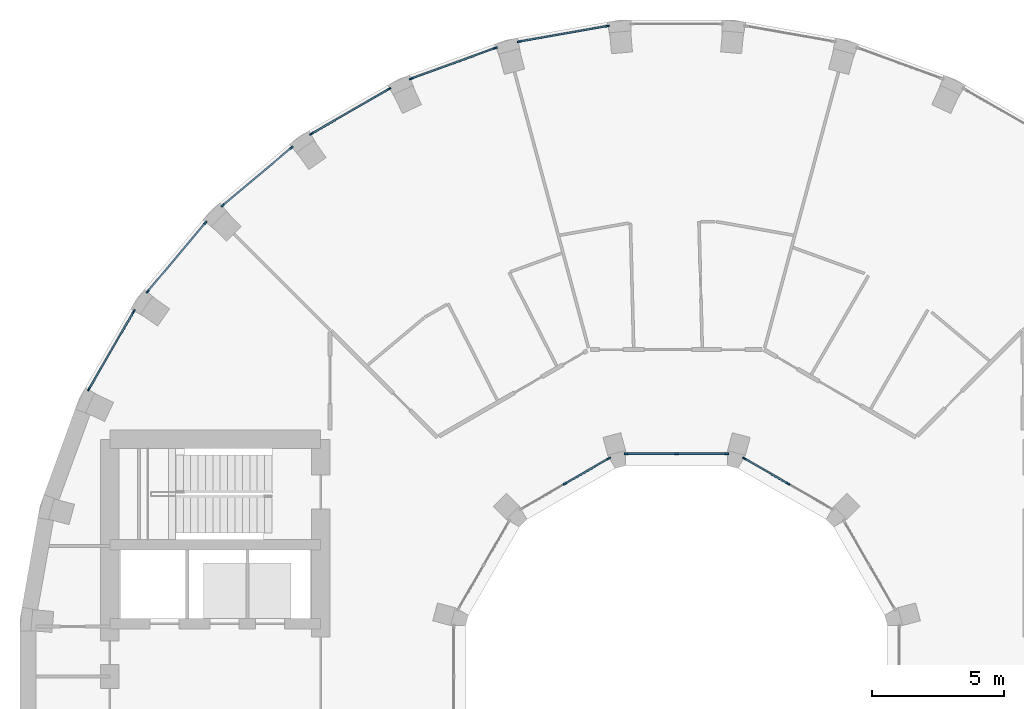
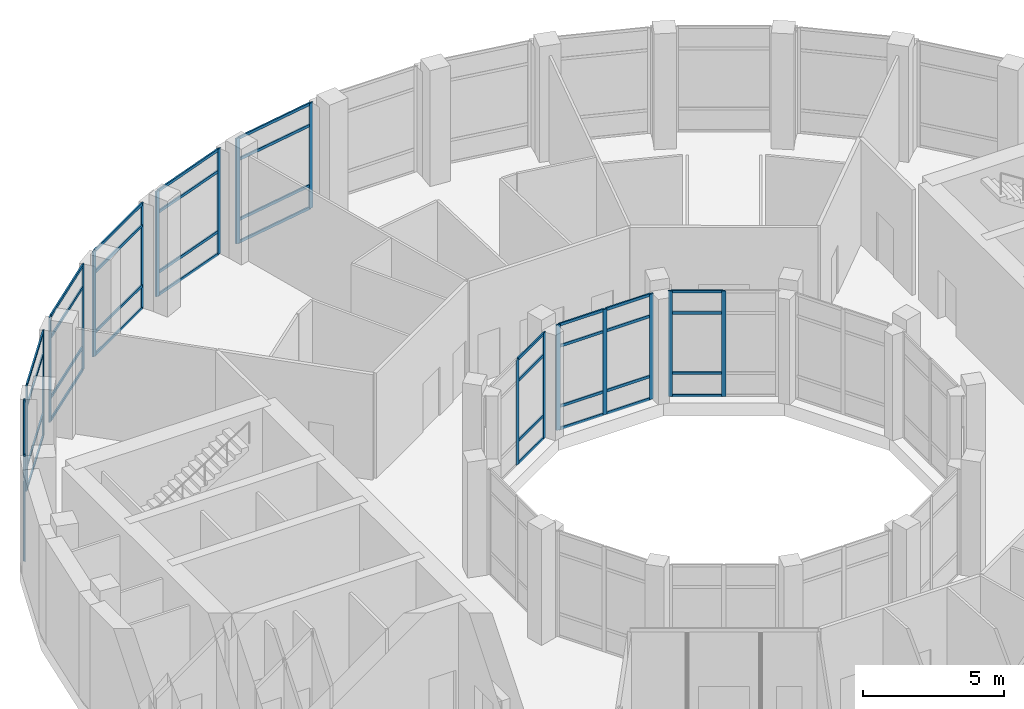
# One storey, part 6 of 18: 59 members, 9 elements without a shape of their own.
"""IFC4 building model written with IfcOpenShell, lengths in metres."""

import ifcopenshell
import ifcopenshell.guid

model = None  # the IFC model being written
_history = None  # IfcOwnerHistory: only IFC2X3 demands one
_inside = {}  # id of a spatial element -> (the spatial element, [elements in it])
_under = {}  # id of a project, library or spatial element -> (it, [spatial elements below it])
_declared = {}  # id of a project -> (the project, [libraries it declares])
_typed = {}  # id of a type object -> (the type object, [elements of that type])
_made_of = {}  # id of a material, layer set ... -> (it, [elements and type objects made of it])


def new_model(schema):
    """Start an empty IFC model of exactly this schema.

    Asked for "IFC4X3", IfcOpenShell would pick the latest addendum, in which some entities
    have other attributes; the version numbers below select the first issue.
    IFC2X3 requires an IfcOwnerHistory on every rooted entity: one is made here for all.
    """
    global model, _history
    if schema == "IFC4X3":
        model = ifcopenshell.file(schema_version=(4, 3, 0, 0))
    else:
        model = ifcopenshell.file(schema=schema)
    _inside.clear()
    _under.clear()
    _declared.clear()
    _typed.clear()
    _made_of.clear()
    _history = None
    if model.schema == "IFC2X3":
        org = make("IfcOrganization", Name="unknown")
        user = make(
            "IfcPersonAndOrganization",
            ThePerson=make("IfcPerson", FamilyName="unknown"),
            TheOrganization=org,
        )
        app = make(
            "IfcApplication",
            ApplicationDeveloper=org,
            Version="unknown",
            ApplicationFullName="unknown",
            ApplicationIdentifier="unknown",
        )
        _history = make(
            "IfcOwnerHistory",
            OwningUser=user,
            OwningApplication=app,
            ChangeAction="ADDED",
            CreationDate=0,
        )
    return model


def make(cls, **values):
    """One entity of the class cls with the attributes given. An attribute that is None is left unset."""
    return model.create_entity(
        cls, **{name: value for name, value in values.items() if value is not None}
    )


def rooted(cls, **values):
    """An entity with a GlobalId (a new one), such as an element, a storey or a relation."""
    return make(cls, GlobalId=ifcopenshell.guid.new(), OwnerHistory=_history, **values)


def si_unit(unit_type, name, prefix=None):
    """IfcSIUnit, for example si_unit("LENGTHUNIT", "METRE", prefix="MILLI")."""
    return make("IfcSIUnit", UnitType=unit_type, Prefix=prefix, Name=name)


def assignment(units):
    """IfcUnitAssignment: the units of a project."""
    return None if units is None else make("IfcUnitAssignment", Units=units)


def point(xyz):
    """IfcCartesianPoint."""
    return None if xyz is None else make("IfcCartesianPoint", Coordinates=xyz)


def direction(xyz):
    """IfcDirection."""
    return None if xyz is None else make("IfcDirection", DirectionRatios=xyz)


def frame(location, z_axis=None, x_axis=None):
    """IfcAxis2Placement3D, a coordinate frame: its origin and axes. An axis left out is left unset."""
    return make(
        "IfcAxis2Placement3D",
        Location=point(location),
        Axis=direction(z_axis),
        RefDirection=direction(x_axis),
    )


def frame_2d(location, x_axis=None):
    """IfcAxis2Placement2D, a coordinate frame in the plane: its origin and x axis."""
    return make(
        "IfcAxis2Placement2D", Location=point(location), RefDirection=direction(x_axis)
    )


def origin():
    """The frame at (0, 0, 0) with its axes left unset."""
    return frame((0.0, 0.0, 0.0))


def origin_2d():
    """The frame at (0, 0) in the plane with its x axis left unset."""
    return frame_2d((0.0, 0.0))


def place(relative_to, where):
    """IfcLocalPlacement: puts the frame where relative to a parent placement (None: the world)."""
    return make(
        "IfcLocalPlacement", PlacementRelTo=relative_to, RelativePlacement=where
    )


def context(
    kind, dimensions, precision=None, world=None, true_north=None, identifier=None
):
    """IfcGeometricRepresentationContext, for example the 3D "Model" context."""
    return make(
        "IfcGeometricRepresentationContext",
        ContextIdentifier=identifier,
        ContextType=kind,
        CoordinateSpaceDimension=dimensions,
        Precision=precision,
        WorldCoordinateSystem=world,
        TrueNorth=true_north,
    )


def subcontext(parent, identifier, kind, view, scale=None):
    """IfcGeometricRepresentationSubContext, for example "Body" below "Model"."""
    return make(
        "IfcGeometricRepresentationSubContext",
        ContextIdentifier=identifier,
        ContextType=kind,
        ParentContext=parent,
        TargetScale=scale,
        TargetView=view,
    )


def project(units=None, contexts=None):
    """IfcProject with its units and contexts."""
    return rooted(
        "IfcProject",
        Name="project",
        RepresentationContexts=contexts,
        UnitsInContext=assignment(units),
    )


def spatial(cls, under=None, at=None, **own):
    """A site, building, storey or space (cls), placed at a placement, below another one or the project."""
    s = rooted(cls, ObjectPlacement=at, **own)
    if under is not None:
        _under.setdefault(under.id(), (under, []))[1].append(s)
    return s


def profile(cls, at=None, kind="AREA", **sizes):
    """A parametric profile (cls). Its sizes go by their IFC names, for example OverallWidth=200.0."""
    return make(cls, ProfileType=kind, Position=at, **sizes)


def rectangle(**sizes):
    """IfcRectangleProfileDef."""
    return profile("IfcRectangleProfileDef", **sizes)


def extrude(swept, where, along, depth):
    """IfcExtrudedAreaSolid: the profile swept, set in the frame where, extruded along a direction by depth."""
    return make(
        "IfcExtrudedAreaSolid",
        SweptArea=swept,
        Position=where,
        ExtrudedDirection=direction(along),
        Depth=depth,
    )


def shape(context_of_items, identifier, shape_type, items):
    """IfcShapeRepresentation: the items that make up one representation, for example the "Body"."""
    return make(
        "IfcShapeRepresentation",
        ContextOfItems=context_of_items,
        RepresentationIdentifier=identifier,
        RepresentationType=shape_type,
        Items=items,
    )


def material(Name=None, Category=None):
    """IfcMaterial."""
    return make("IfcMaterial", Name=Name, Category=Category)


def layer(
    of_material, thickness, ventilated=None, Name=None, Category=None, Priority=None
):
    """IfcMaterialLayer: one layer of a wall or slab, of a material (None: an air gap)."""
    return make(
        "IfcMaterialLayer",
        Material=of_material,
        LayerThickness=thickness,
        IsVentilated=ventilated,
        Name=Name,
        Category=Category,
        Priority=Priority,
    )


def layer_set(layers, Name=None):
    """IfcMaterialLayerSet."""
    return make("IfcMaterialLayerSet", MaterialLayers=layers, LayerSetName=Name)


def material_profile(
    of_material, cross_section, Name=None, Category=None, Priority=None
):
    """IfcMaterialProfile: a cross section and its material."""
    return make(
        "IfcMaterialProfile",
        Name=Name,
        Material=of_material,
        Profile=cross_section,
        Priority=Priority,
        Category=Category,
    )


def profile_set(profiles, Name=None, composite=None):
    """IfcMaterialProfileSet."""
    return make(
        "IfcMaterialProfileSet",
        Name=Name,
        MaterialProfiles=profiles,
        CompositeProfile=composite,
    )


def made_of(thing, what):
    """Note that an element or type object is made of a material, layer set ...; save() writes the relation."""
    if what is not None:
        _made_of.setdefault(what.id(), (what, []))[1].append(thing)
    return thing


def type_object(cls, material=None, **own):
    """A type object (cls), such as IfcWallType, which elements share."""
    return made_of(rooted(cls, **own), material)


def element(
    cls,
    number,
    at=None,
    inside=None,
    cuts=None,
    type_object=None,
    material=None,
    context=None,
    identifier="Body",
    shape_type=None,
    held_by="IfcProductDefinitionShape",
    body=None,
    shapes=None,
    **own,
):
    """One element of the class cls, such as IfcWall. Its Tag is "e" and its number.

    at: its placement. inside: the storey or other place that contains it. cuts: it is an
    opening in that element (IfcRelVoidsElement). A single representation is given by context,
    identifier, shape_type and body (its items); several are given by shapes. held_by: the class
    of the entity that holds the representations. save() writes the other relations.
    """
    e = rooted(cls, Tag="e%d" % number, ObjectPlacement=at, **own)
    if body is not None:
        shapes = [shape(context, identifier, shape_type, body)]
    if shapes is not None:
        e.Representation = make(held_by, Representations=shapes)
    if inside is not None:
        _inside.setdefault(inside.id(), (inside, []))[1].append(e)
    if cuts is not None:
        rooted(
            "IfcRelVoidsElement", RelatingBuildingElement=cuts, RelatedOpeningElement=e
        )
    if type_object is not None:
        _typed.setdefault(type_object.id(), (type_object, []))[1].append(e)
    return made_of(e, material)


def aggregate(whole, parts):
    """IfcRelAggregates: a whole, such as a stair, and the parts it consists of."""
    return rooted("IfcRelAggregates", RelatingObject=whole, RelatedObjects=parts)


def save(model, path):
    """Write the relations noted so far, then the file.

    IfcRelAggregates (storeys below a building ...), IfcRelContainedInSpatialStructure (elements
    in a storey), IfcRelDefinesByType, IfcRelAssociatesMaterial and IfcRelDeclares: one each for
    every whole, place, type object, material and project.
    """
    for whole, parts in _under.values():
        aggregate(whole, parts)
    for where, things in _inside.values():
        rooted(
            "IfcRelContainedInSpatialStructure",
            RelatedElements=things,
            RelatingStructure=where,
        )
    for kind, things in _typed.values():
        rooted("IfcRelDefinesByType", RelatedObjects=things, RelatingType=kind)
    for what, things in _made_of.values():
        rooted("IfcRelAssociatesMaterial", RelatedObjects=things, RelatingMaterial=what)
    for by, libraries in _declared.values():
        rooted("IfcRelDeclares", RelatingContext=by, RelatedDefinitions=libraries)
    model.write(path)


model = new_model("IFC4")

# Units and contexts
model_context = context("Model", 3, precision=1e-05, world=origin(), true_north=direction((0.0, 1.0)))
body_context = subcontext(model_context, "Body", "Model", "MODEL_VIEW")
ifc_project = project(units=[si_unit("LENGTHUNIT", "METRE"), si_unit("AREAUNIT", "SQUARE_METRE"), si_unit("VOLUMEUNIT", "CUBIC_METRE"), si_unit("PLANEANGLEUNIT", "RADIAN"), si_unit("MASSUNIT", "GRAM", prefix="KILO")], contexts=[model_context])

# Site, building, storey
site_placement = place(None, origin())
site = spatial("IfcSite", under=ifc_project, at=site_placement, CompositionType="ELEMENT")
building_placement = place(site_placement, origin())
building = spatial("IfcBuilding", under=site, at=building_placement, Name="Saqina Gate Tower", CompositionType="ELEMENT")
storey_placement = place(building_placement, frame((0.0, 0.0, 155.800048828125)))
storey = spatial("IfcBuildingStorey", under=building, at=storey_placement, Name="L44", CompositionType="ELEMENT", Elevation=155.800048828125)

# Curtain wall, members
ifc_material_1 = material(Name="Aluminium glazing", Category="aluminium")
ifc_layer_1 = layer(ifc_material_1, 0.159912109375)
ifc_layer_set_1 = layer_set([ifc_layer_1], Name="CWT-2")
curtain_wall_type_1 = type_object("IfcCurtainWallType", Name="CWT-2", PredefinedType="NOTDEFINED", material=ifc_layer_set_1)
curtain_wall_1_placement = place(storey_placement, origin())
curtain_wall_1 = element("IfcCurtainWall", 1, at=curtain_wall_1_placement, inside=storey, type_object=curtain_wall_type_1, Name="Sky lounge glazing facet 10", PredefinedType="NOTDEFINED")
ifc_material_2 = material(Name="Aluminium", Category="aluminium")
ifc_material_profile_1 = material_profile(ifc_material_2, rectangle(XDim=0.06005859375, YDim=0.159912109375, at=origin_2d()), Name="Aluminium 60x160")
ifc_profile_set_1 = profile_set([ifc_material_profile_1], Name="Aluminium")
member_type_1 = type_object("IfcMemberType", Name="CWT-2M", PredefinedType="MULLION", material=ifc_profile_set_1)
member_1_placement = place(storey_placement, frame((-2.629638671875, 24.673095703125, 0.0), z_axis=(0.0, 0.0, 1.0), x_axis=(0.173638154602, -0.984809520296, 0.0)))
member_1 = element("IfcMember", 2, at=member_1_placement, type_object=member_type_1, Name="CW2-10 mullion 1", PredefinedType="MULLION", context=body_context, shape_type="SweptSolid", body=[
    extrude(rectangle(XDim=0.06005859375, YDim=0.159912109375, at=origin_2d()), origin(), (0.0, 0.0, 1.0), 4.550048828125),
])
member_2_placement = place(storey_placement, frame((-5.9677734375, 24.08447265625, 0.0), z_axis=(0.0, 0.0, 1.0), x_axis=(0.173638154602, -0.984809520296, 0.0)))
member_2 = element("IfcMember", 3, at=member_2_placement, type_object=member_type_1, Name="CW2-10 mullion 2", PredefinedType="MULLION", context=body_context, shape_type="SweptSolid", body=[
    extrude(rectangle(XDim=0.06005859375, YDim=0.159912109375, at=origin_2d()), origin(), (0.0, 0.0, 1.0), 4.550048828125),
])

curtain_wall_2_placement = place(storey_placement, origin())
curtain_wall_2 = element("IfcCurtainWall", 4, at=curtain_wall_2_placement, inside=storey, type_object=curtain_wall_type_1, Name="Sky lounge glazing facet 11", PredefinedType="NOTDEFINED")
member_3_placement = place(storey_placement, frame((-6.8740234375, 23.841552734375, 0.0), z_axis=(0.0, 0.0, 1.0), x_axis=(0.342024671777, -0.939690972552, 0.0)))
member_3 = element("IfcMember", 5, at=member_3_placement, type_object=member_type_1, Name="CW2-11 mullion 1", PredefinedType="MULLION", context=body_context, shape_type="SweptSolid", body=[
    extrude(rectangle(XDim=0.06005859375, YDim=0.159912109375, at=origin_2d()), origin(), (0.0, 0.0, 1.0), 4.550048828125),
])
member_4_placement = place(storey_placement, frame((-10.059326171875, 22.682373046875, 0.0), z_axis=(0.0, 0.0, 1.0), x_axis=(0.342024671777, -0.939690972552, 0.0)))
member_4 = element("IfcMember", 6, at=member_4_placement, type_object=member_type_1, Name="CW2-11 mullion 2", PredefinedType="MULLION", context=body_context, shape_type="SweptSolid", body=[
    extrude(rectangle(XDim=0.06005859375, YDim=0.159912109375, at=origin_2d()), origin(), (0.0, 0.0, 1.0), 4.550048828125),
])

curtain_wall_3_placement = place(storey_placement, origin())
curtain_wall_3 = element("IfcCurtainWall", 7, at=curtain_wall_3_placement, inside=storey, type_object=curtain_wall_type_1, Name="Sky lounge glazing facet 12", PredefinedType="NOTDEFINED")
member_5_placement = place(storey_placement, frame((-10.90966796875, 22.285888671875, 0.0), z_axis=(0.0, 0.0, 1.0), x_axis=(0.500014364391, -0.866017110341, 0.0)))
member_5 = element("IfcMember", 8, at=member_5_placement, type_object=member_type_1, Name="CW2-12 mullion 1", PredefinedType="MULLION", context=body_context, shape_type="SweptSolid", body=[
    extrude(rectangle(XDim=0.06005859375, YDim=0.159912109375, at=origin_2d()), origin(), (0.0, 0.0, 1.0), 4.550048828125),
])
member_6_placement = place(storey_placement, frame((-13.84521484375, 20.5908203125, 0.0), z_axis=(0.0, 0.0, 1.0), x_axis=(0.500014364391, -0.866017110341, 0.0)))
member_6 = element("IfcMember", 9, at=member_6_placement, type_object=member_type_1, Name="CW2-12 mullion 2", PredefinedType="MULLION", context=body_context, shape_type="SweptSolid", body=[
    extrude(rectangle(XDim=0.06005859375, YDim=0.159912109375, at=origin_2d()), origin(), (0.0, 0.0, 1.0), 4.550048828125),
])

curtain_wall_4_placement = place(storey_placement, origin())
curtain_wall_4 = element("IfcCurtainWall", 10, at=curtain_wall_4_placement, inside=storey, type_object=curtain_wall_type_1, Name="Sky lounge glazing facet 13", PredefinedType="NOTDEFINED")
member_7_placement = place(storey_placement, frame((-14.61376953125, 20.052734375, 0.0), z_axis=(0.0, 0.0, 1.0), x_axis=(0.642789549658, -0.766042815286, 0.0)))
member_7 = element("IfcMember", 11, at=member_7_placement, type_object=member_type_1, Name="CW2-13 mullion 1", PredefinedType="MULLION", context=body_context, shape_type="SweptSolid", body=[
    extrude(rectangle(XDim=0.06005859375, YDim=0.159912109375, at=origin_2d()), origin(), (0.0, 0.0, 1.0), 4.550048828125),
])
member_8_placement = place(storey_placement, frame((-17.21044921875, 17.873779296875, 0.0), z_axis=(0.0, 0.0, 1.0), x_axis=(0.642789549658, -0.766042815286, 0.0)))
member_8 = element("IfcMember", 12, at=member_8_placement, type_object=member_type_1, Name="CW2-13 mullion 2", PredefinedType="MULLION", context=body_context, shape_type="SweptSolid", body=[
    extrude(rectangle(XDim=0.06005859375, YDim=0.159912109375, at=origin_2d()), origin(), (0.0, 0.0, 1.0), 4.550048828125),
])

curtain_wall_5_placement = place(storey_placement, origin())
curtain_wall_5 = element("IfcCurtainWall", 13, at=curtain_wall_5_placement, inside=storey, type_object=curtain_wall_type_1, Name="Sky lounge glazing facet 14", PredefinedType="NOTDEFINED")
member_9_placement = place(storey_placement, frame((-17.873779296875, 17.21044921875, 0.0), z_axis=(0.0, 0.0, 1.0), x_axis=(0.766042815286, -0.642789549658, 0.0)))
member_9 = element("IfcMember", 14, at=member_9_placement, type_object=member_type_1, Name="CW2-14 mullion 1", PredefinedType="MULLION", context=body_context, shape_type="SweptSolid", body=[
    extrude(rectangle(XDim=0.06005859375, YDim=0.159912109375, at=origin_2d()), origin(), (0.0, 0.0, 1.0), 4.550048828125),
])
member_10_placement = place(storey_placement, frame((-20.052734375, 14.61376953125, 0.0), z_axis=(0.0, 0.0, 1.0), x_axis=(0.766042815286, -0.642789549658, 0.0)))
member_10 = element("IfcMember", 15, at=member_10_placement, type_object=member_type_1, Name="CW2-14 mullion 2", PredefinedType="MULLION", context=body_context, shape_type="SweptSolid", body=[
    extrude(rectangle(XDim=0.06005859375, YDim=0.159912109375, at=origin_2d()), origin(), (0.0, 0.0, 1.0), 4.550048828125),
])

curtain_wall_6_placement = place(storey_placement, origin())
curtain_wall_6 = element("IfcCurtainWall", 16, at=curtain_wall_6_placement, inside=storey, type_object=curtain_wall_type_1, Name="Sky lounge glazing facet 15", PredefinedType="NOTDEFINED")
member_11_placement = place(storey_placement, frame((-20.5908203125, 13.84521484375, 0.0), z_axis=(0.0, 0.0, 1.0), x_axis=(0.866017110341, -0.500014364391, 0.0)))
member_11 = element("IfcMember", 17, at=member_11_placement, type_object=member_type_1, Name="CW2-15 mullion 1", PredefinedType="MULLION", context=body_context, shape_type="SweptSolid", body=[
    extrude(rectangle(XDim=0.06005859375, YDim=0.159912109375, at=origin_2d()), origin(), (0.0, 0.0, 1.0), 4.550048828125),
])
member_12_placement = place(storey_placement, frame((-22.285888671875, 10.90966796875, 0.0), z_axis=(0.0, 0.0, 1.0), x_axis=(0.866017110341, -0.500014364391, 0.0)))
member_12 = element("IfcMember", 18, at=member_12_placement, type_object=member_type_1, Name="CW2-15 mullion 2", PredefinedType="MULLION", context=body_context, shape_type="SweptSolid", body=[
    extrude(rectangle(XDim=0.06005859375, YDim=0.159912109375, at=origin_2d()), origin(), (0.0, 0.0, 1.0), 4.550048828125),
])

# Member
ifc_material_3 = material(Name="Aluminium", Category="aluminium")
ifc_material_profile_2 = material_profile(ifc_material_3, rectangle(XDim=0.06005859375, YDim=0.1201171875, at=origin_2d()), Name="Aluminium 60x120")
ifc_profile_set_2 = profile_set([ifc_material_profile_2], Name="Aluminium")
member_type_2 = type_object("IfcMemberType", Name="CWT-2T", PredefinedType="USERDEFINED", material=ifc_profile_set_2)
member_13_placement = place(storey_placement, frame((-2.6591796875, 24.66796875, 0.030029296875), z_axis=(-0.984798318241, -0.173701676414, 0.0), x_axis=(0.173701676414, -0.984798318241, 0.0)))
member_13 = element("IfcMember", 19, at=member_13_placement, type_object=member_type_2, Name="CW2-10 transom 1.1", ObjectType="TRANSOM", PredefinedType="USERDEFINED", context=body_context, shape_type="SweptSolid", body=[
    extrude(rectangle(XDim=0.06005859375, YDim=0.1201171875, at=origin_2d()), origin(), (0.0, 0.0, 1.0), 3.32958984375),
])

member_14_placement = place(storey_placement, frame((-2.6591796875, 24.66796875, 1.0), z_axis=(-0.984798318241, -0.173701676414, 0.0), x_axis=(0.173701676414, -0.984798318241, 0.0)))
member_14 = element("IfcMember", 20, at=member_14_placement, type_object=member_type_2, Name="CW2-10 transom 1.2", ObjectType="TRANSOM", PredefinedType="USERDEFINED", context=body_context, shape_type="SweptSolid", body=[
    extrude(rectangle(XDim=0.06005859375, YDim=0.1201171875, at=origin_2d()), origin(), (0.0, 0.0, 1.0), 3.32958984375),
])

member_15_placement = place(storey_placement, frame((-2.6591796875, 24.66796875, 3.599853515625), z_axis=(-0.984798318241, -0.173701676414, 0.0), x_axis=(0.173701676414, -0.984798318241, 0.0)))
member_15 = element("IfcMember", 21, at=member_15_placement, type_object=member_type_2, Name="CW2-10 transom 1.3", ObjectType="TRANSOM", PredefinedType="USERDEFINED", context=body_context, shape_type="SweptSolid", body=[
    extrude(rectangle(XDim=0.06005859375, YDim=0.1201171875, at=origin_2d()), origin(), (0.0, 0.0, 1.0), 3.32958984375),
])

member_16_placement = place(storey_placement, frame((-2.6591796875, 24.66796875, 4.52001953125), z_axis=(-0.984798318241, -0.173701676414, 0.0), x_axis=(0.173701676414, -0.984798318241, 0.0)))
member_16 = element("IfcMember", 22, at=member_16_placement, type_object=member_type_2, Name="CW2-10 transom 1.4", ObjectType="TRANSOM", PredefinedType="USERDEFINED", context=body_context, shape_type="SweptSolid", body=[
    extrude(rectangle(XDim=0.06005859375, YDim=0.1201171875, at=origin_2d()), origin(), (0.0, 0.0, 1.0), 3.32958984375),
])

aggregate(curtain_wall_1, [member_1, member_2, member_13, member_14, member_15, member_16])

member_17_placement = place(storey_placement, frame((-6.902099609375, 23.831298828125, 0.030029296875), z_axis=(-0.939707761266, -0.341978542333, 0.0), x_axis=(0.341978542333, -0.939707761266, 0.0)))
member_17 = element("IfcMember", 23, at=member_17_placement, type_object=member_type_2, Name="CW2-11 transom 1.1", ObjectType="TRANSOM", PredefinedType="USERDEFINED", context=body_context, shape_type="SweptSolid", body=[
    extrude(rectangle(XDim=0.06005859375, YDim=0.1201171875, at=origin_2d()), origin(), (0.0, 0.0, 1.0), 3.32958984375),
])

member_18_placement = place(storey_placement, frame((-6.902099609375, 23.831298828125, 1.0), z_axis=(-0.939707761266, -0.341978542333, 0.0), x_axis=(0.341978542333, -0.939707761266, 0.0)))
member_18 = element("IfcMember", 24, at=member_18_placement, type_object=member_type_2, Name="CW2-11 transom 1.2", ObjectType="TRANSOM", PredefinedType="USERDEFINED", context=body_context, shape_type="SweptSolid", body=[
    extrude(rectangle(XDim=0.06005859375, YDim=0.1201171875, at=origin_2d()), origin(), (0.0, 0.0, 1.0), 3.32958984375),
])

member_19_placement = place(storey_placement, frame((-6.902099609375, 23.831298828125, 3.599853515625), z_axis=(-0.939707761266, -0.341978542333, 0.0), x_axis=(0.341978542333, -0.939707761266, 0.0)))
member_19 = element("IfcMember", 25, at=member_19_placement, type_object=member_type_2, Name="CW2-11 transom 1.3", ObjectType="TRANSOM", PredefinedType="USERDEFINED", context=body_context, shape_type="SweptSolid", body=[
    extrude(rectangle(XDim=0.06005859375, YDim=0.1201171875, at=origin_2d()), origin(), (0.0, 0.0, 1.0), 3.32958984375),
])

member_20_placement = place(storey_placement, frame((-6.902099609375, 23.831298828125, 4.52001953125), z_axis=(-0.939707761266, -0.341978542333, 0.0), x_axis=(0.341978542333, -0.939707761266, 0.0)))
member_20 = element("IfcMember", 26, at=member_20_placement, type_object=member_type_2, Name="CW2-11 transom 1.4", ObjectType="TRANSOM", PredefinedType="USERDEFINED", context=body_context, shape_type="SweptSolid", body=[
    extrude(rectangle(XDim=0.06005859375, YDim=0.1201171875, at=origin_2d()), origin(), (0.0, 0.0, 1.0), 3.32958984375),
])

aggregate(curtain_wall_2, [member_3, member_4, member_17, member_18, member_19, member_20])

member_21_placement = place(storey_placement, frame((-10.935546875, 22.270751953125, 0.030029296875), z_axis=(-0.866046400599, -0.499963630688, 0.0), x_axis=(0.499963630688, -0.866046400599, 0.0)))
member_21 = element("IfcMember", 27, at=member_21_placement, type_object=member_type_2, Name="CW2-12 transom 1.1", ObjectType="TRANSOM", PredefinedType="USERDEFINED", context=body_context, shape_type="SweptSolid", body=[
    extrude(rectangle(XDim=0.06005859375, YDim=0.1201171875, at=origin_2d()), origin(), (0.0, 0.0, 1.0), 3.329833984375),
])

member_22_placement = place(storey_placement, frame((-10.935546875, 22.270751953125, 1.0), z_axis=(-0.866046400599, -0.499963630688, 0.0), x_axis=(0.499963630688, -0.866046400599, 0.0)))
member_22 = element("IfcMember", 28, at=member_22_placement, type_object=member_type_2, Name="CW2-12 transom 1.2", ObjectType="TRANSOM", PredefinedType="USERDEFINED", context=body_context, shape_type="SweptSolid", body=[
    extrude(rectangle(XDim=0.06005859375, YDim=0.1201171875, at=origin_2d()), origin(), (0.0, 0.0, 1.0), 3.329833984375),
])

member_23_placement = place(storey_placement, frame((-10.935546875, 22.270751953125, 3.599853515625), z_axis=(-0.866046400599, -0.499963630688, 0.0), x_axis=(0.499963630688, -0.866046400599, 0.0)))
member_23 = element("IfcMember", 29, at=member_23_placement, type_object=member_type_2, Name="CW2-12 transom 1.3", ObjectType="TRANSOM", PredefinedType="USERDEFINED", context=body_context, shape_type="SweptSolid", body=[
    extrude(rectangle(XDim=0.06005859375, YDim=0.1201171875, at=origin_2d()), origin(), (0.0, 0.0, 1.0), 3.329833984375),
])

member_24_placement = place(storey_placement, frame((-10.935546875, 22.270751953125, 4.52001953125), z_axis=(-0.866046400599, -0.499963630688, 0.0), x_axis=(0.499963630688, -0.866046400599, 0.0)))
member_24 = element("IfcMember", 30, at=member_24_placement, type_object=member_type_2, Name="CW2-12 transom 1.4", ObjectType="TRANSOM", PredefinedType="USERDEFINED", context=body_context, shape_type="SweptSolid", body=[
    extrude(rectangle(XDim=0.06005859375, YDim=0.1201171875, at=origin_2d()), origin(), (0.0, 0.0, 1.0), 3.329833984375),
])

aggregate(curtain_wall_3, [member_5, member_6, member_21, member_22, member_23, member_24])

member_25_placement = place(storey_placement, frame((-14.63671875, 20.033447265625, 0.030029296875), z_axis=(-0.766041300239, -0.642791355206, 0.0), x_axis=(0.642791355206, -0.766041300239, 0.0)))
member_25 = element("IfcMember", 31, at=member_25_placement, type_object=member_type_2, Name="CW2-13 transom 1.1", ObjectType="TRANSOM", PredefinedType="USERDEFINED", context=body_context, shape_type="SweptSolid", body=[
    extrude(rectangle(XDim=0.06005859375, YDim=0.1201171875, at=origin_2d()), origin(), (0.0, 0.0, 1.0), 3.329833984375),
])

member_26_placement = place(storey_placement, frame((-14.63671875, 20.033447265625, 1.0), z_axis=(-0.766041300239, -0.642791355206, 0.0), x_axis=(0.642791355206, -0.766041300239, 0.0)))
member_26 = element("IfcMember", 32, at=member_26_placement, type_object=member_type_2, Name="CW2-13 transom 1.2", ObjectType="TRANSOM", PredefinedType="USERDEFINED", context=body_context, shape_type="SweptSolid", body=[
    extrude(rectangle(XDim=0.06005859375, YDim=0.1201171875, at=origin_2d()), origin(), (0.0, 0.0, 1.0), 3.329833984375),
])

member_27_placement = place(storey_placement, frame((-14.63671875, 20.033447265625, 3.599853515625), z_axis=(-0.766041300239, -0.642791355206, 0.0), x_axis=(0.642791355206, -0.766041300239, 0.0)))
member_27 = element("IfcMember", 33, at=member_27_placement, type_object=member_type_2, Name="CW2-13 transom 1.3", ObjectType="TRANSOM", PredefinedType="USERDEFINED", context=body_context, shape_type="SweptSolid", body=[
    extrude(rectangle(XDim=0.06005859375, YDim=0.1201171875, at=origin_2d()), origin(), (0.0, 0.0, 1.0), 3.329833984375),
])

member_28_placement = place(storey_placement, frame((-14.63671875, 20.033447265625, 4.52001953125), z_axis=(-0.766041300239, -0.642791355206, 0.0), x_axis=(0.642791355206, -0.766041300239, 0.0)))
member_28 = element("IfcMember", 34, at=member_28_placement, type_object=member_type_2, Name="CW2-13 transom 1.4", ObjectType="TRANSOM", PredefinedType="USERDEFINED", context=body_context, shape_type="SweptSolid", body=[
    extrude(rectangle(XDim=0.06005859375, YDim=0.1201171875, at=origin_2d()), origin(), (0.0, 0.0, 1.0), 3.329833984375),
])

aggregate(curtain_wall_4, [member_7, member_8, member_25, member_26, member_27, member_28])

member_29_placement = place(storey_placement, frame((-17.89306640625, 17.1875, 0.030029296875), z_axis=(-0.642791355206, -0.766041300239, 0.0), x_axis=(0.766041300239, -0.642791355206, 0.0)))
member_29 = element("IfcMember", 35, at=member_29_placement, type_object=member_type_2, Name="CW2-14 transom 1.1", ObjectType="TRANSOM", PredefinedType="USERDEFINED", context=body_context, shape_type="SweptSolid", body=[
    extrude(rectangle(XDim=0.06005859375, YDim=0.1201171875, at=origin_2d()), origin(), (0.0, 0.0, 1.0), 3.329833984375),
])

member_30_placement = place(storey_placement, frame((-17.89306640625, 17.1875, 1.0), z_axis=(-0.642791355206, -0.766041300239, 0.0), x_axis=(0.766041300239, -0.642791355206, 0.0)))
member_30 = element("IfcMember", 36, at=member_30_placement, type_object=member_type_2, Name="CW2-14 transom 1.2", ObjectType="TRANSOM", PredefinedType="USERDEFINED", context=body_context, shape_type="SweptSolid", body=[
    extrude(rectangle(XDim=0.06005859375, YDim=0.1201171875, at=origin_2d()), origin(), (0.0, 0.0, 1.0), 3.329833984375),
])

member_31_placement = place(storey_placement, frame((-17.89306640625, 17.1875, 3.599853515625), z_axis=(-0.642791355206, -0.766041300239, 0.0), x_axis=(0.766041300239, -0.642791355206, 0.0)))
member_31 = element("IfcMember", 37, at=member_31_placement, type_object=member_type_2, Name="CW2-14 transom 1.3", ObjectType="TRANSOM", PredefinedType="USERDEFINED", context=body_context, shape_type="SweptSolid", body=[
    extrude(rectangle(XDim=0.06005859375, YDim=0.1201171875, at=origin_2d()), origin(), (0.0, 0.0, 1.0), 3.329833984375),
])

member_32_placement = place(storey_placement, frame((-17.89306640625, 17.1875, 4.52001953125), z_axis=(-0.642791355206, -0.766041300239, 0.0), x_axis=(0.766041300239, -0.642791355206, 0.0)))
member_32 = element("IfcMember", 38, at=member_32_placement, type_object=member_type_2, Name="CW2-14 transom 1.4", ObjectType="TRANSOM", PredefinedType="USERDEFINED", context=body_context, shape_type="SweptSolid", body=[
    extrude(rectangle(XDim=0.06005859375, YDim=0.1201171875, at=origin_2d()), origin(), (0.0, 0.0, 1.0), 3.329833984375),
])

aggregate(curtain_wall_5, [member_9, member_10, member_29, member_30, member_31, member_32])

member_33_placement = place(storey_placement, frame((-20.60595703125, 13.8193359375, 0.030029296875), z_axis=(-0.499963630688, -0.866046400599, 0.0), x_axis=(0.866046400599, -0.499963630688, 0.0)))
member_33 = element("IfcMember", 39, at=member_33_placement, type_object=member_type_2, Name="CW2-15 transom 1.1", ObjectType="TRANSOM", PredefinedType="USERDEFINED", context=body_context, shape_type="SweptSolid", body=[
    extrude(rectangle(XDim=0.06005859375, YDim=0.1201171875, at=origin_2d()), origin(), (0.0, 0.0, 1.0), 3.329833984375),
])

member_34_placement = place(storey_placement, frame((-20.60595703125, 13.8193359375, 1.0), z_axis=(-0.499963630688, -0.866046400599, 0.0), x_axis=(0.866046400599, -0.499963630688, 0.0)))
member_34 = element("IfcMember", 40, at=member_34_placement, type_object=member_type_2, Name="CW2-15 transom 1.2", ObjectType="TRANSOM", PredefinedType="USERDEFINED", context=body_context, shape_type="SweptSolid", body=[
    extrude(rectangle(XDim=0.06005859375, YDim=0.1201171875, at=origin_2d()), origin(), (0.0, 0.0, 1.0), 3.329833984375),
])

member_35_placement = place(storey_placement, frame((-20.60595703125, 13.8193359375, 3.599853515625), z_axis=(-0.499963630688, -0.866046400599, 0.0), x_axis=(0.866046400599, -0.499963630688, 0.0)))
member_35 = element("IfcMember", 41, at=member_35_placement, type_object=member_type_2, Name="CW2-15 transom 1.3", ObjectType="TRANSOM", PredefinedType="USERDEFINED", context=body_context, shape_type="SweptSolid", body=[
    extrude(rectangle(XDim=0.06005859375, YDim=0.1201171875, at=origin_2d()), origin(), (0.0, 0.0, 1.0), 3.329833984375),
])

member_36_placement = place(storey_placement, frame((-20.60595703125, 13.8193359375, 4.52001953125), z_axis=(-0.499963630688, -0.866046400599, 0.0), x_axis=(0.866046400599, -0.499963630688, 0.0)))
member_36 = element("IfcMember", 42, at=member_36_placement, type_object=member_type_2, Name="CW2-15 transom 1.4", ObjectType="TRANSOM", PredefinedType="USERDEFINED", context=body_context, shape_type="SweptSolid", body=[
    extrude(rectangle(XDim=0.06005859375, YDim=0.1201171875, at=origin_2d()), origin(), (0.0, 0.0, 1.0), 3.329833984375),
])

aggregate(curtain_wall_6, [member_11, member_12, member_33, member_34, member_35, member_36])

# Curtain wall, members
ifc_material_4 = material(Name="Aluminium glazing", Category="aluminium")
ifc_layer_2 = layer(ifc_material_4, 0.159912109375)
ifc_layer_set_2 = layer_set([ifc_layer_2], Name="CWT-3")
curtain_wall_type_2 = type_object("IfcCurtainWallType", Name="CWT-3", PredefinedType="NOTDEFINED", material=ifc_layer_set_2)
curtain_wall_7_placement = place(storey_placement, origin())
curtain_wall_7 = element("IfcCurtainWall", 43, at=curtain_wall_7_placement, inside=storey, type_object=curtain_wall_type_2, Name="Sky lounge well glazing L44 facet 2", PredefinedType="NOTDEFINED")
ifc_material_5 = material(Name="Aluminium", Category="aluminium")
ifc_material_profile_3 = material_profile(ifc_material_5, rectangle(XDim=0.06005859375, YDim=0.159912109375, at=origin_2d()), Name="Aluminium 60x160")
ifc_profile_set_3 = profile_set([ifc_material_profile_3], Name="Aluminium")
member_type_3 = type_object("IfcMemberType", Name="CWT-3M", PredefinedType="MULLION", material=ifc_profile_set_3)
member_37_placement = place(storey_placement, frame((4.22509765625, 7.31787109375, 0.0), z_axis=(0.0, 0.0, 1.0), x_axis=(-0.500013238243, -0.866017760546, 0.0)))
member_37 = element("IfcMember", 44, at=member_37_placement, type_object=member_type_3, Name="CW3-02 mullion 2", PredefinedType="MULLION", context=body_context, shape_type="SweptSolid", body=[
    extrude(rectangle(XDim=0.06005859375, YDim=0.159912109375, at=origin_2d()), origin(), (0.0, 0.0, 1.0), 4.550048828125),
])
member_38_placement = place(storey_placement, frame((2.5751953125, 8.2705078125, 0.0), z_axis=(0.0, 0.0, 1.0), x_axis=(-0.500013238243, -0.866017760546, 0.0)))
member_38 = element("IfcMember", 45, at=member_38_placement, type_object=member_type_3, Name="CW3-02 mullion 3", PredefinedType="MULLION", context=body_context, shape_type="SweptSolid", body=[
    extrude(rectangle(XDim=0.06005859375, YDim=0.159912109375, at=origin_2d()), origin(), (0.0, 0.0, 1.0), 4.550048828125),
])

curtain_wall_8_placement = place(storey_placement, origin())
curtain_wall_8 = element("IfcCurtainWall", 46, at=curtain_wall_8_placement, inside=storey, type_object=curtain_wall_type_2, Name="Sky lounge well glazing L44 facet 3", PredefinedType="NOTDEFINED")
member_39_placement = place(storey_placement, frame((1.90478515625, 8.449951171875, 0.0), z_axis=(0.0, 0.0, 1.0), x_axis=(0.0, -1.0, 0.0)))
member_39 = element("IfcMember", 47, at=member_39_placement, type_object=member_type_3, Name="CW3-03 mullion 1", PredefinedType="MULLION", context=body_context, shape_type="SweptSolid", body=[
    extrude(rectangle(XDim=0.06005859375, YDim=0.159912109375, at=origin_2d()), origin(), (0.0, 0.0, 1.0), 4.550048828125),
])
member_40_placement = place(storey_placement, frame((0.0, 8.449951171875, 0.0), z_axis=(0.0, 0.0, 1.0), x_axis=(0.0, -1.0, 0.0)))
member_40 = element("IfcMember", 48, at=member_40_placement, type_object=member_type_3, Name="CW3-03 mullion 2", PredefinedType="MULLION", context=body_context, shape_type="SweptSolid", body=[
    extrude(rectangle(XDim=0.06005859375, YDim=0.159912109375, at=origin_2d()), origin(), (0.0, 0.0, 1.0), 4.550048828125),
])
member_41_placement = place(storey_placement, frame((-1.90478515625, 8.449951171875, 0.0), z_axis=(0.0, 0.0, 1.0), x_axis=(0.0, -1.0, 0.0)))
member_41 = element("IfcMember", 49, at=member_41_placement, type_object=member_type_3, Name="CW3-03 mullion 3", PredefinedType="MULLION", context=body_context, shape_type="SweptSolid", body=[
    extrude(rectangle(XDim=0.06005859375, YDim=0.159912109375, at=origin_2d()), origin(), (0.0, 0.0, 1.0), 4.550048828125),
])

curtain_wall_9_placement = place(storey_placement, origin())
curtain_wall_9 = element("IfcCurtainWall", 50, at=curtain_wall_9_placement, inside=storey, type_object=curtain_wall_type_2, Name="Sky lounge well glazing L44 facet 4", PredefinedType="NOTDEFINED")
member_42_placement = place(storey_placement, frame((-2.5751953125, 8.2705078125, 0.0), z_axis=(0.0, 0.0, 1.0), x_axis=(0.500013238243, -0.866017760546, 0.0)))
member_42 = element("IfcMember", 51, at=member_42_placement, type_object=member_type_3, Name="CW3-04 mullion 1", PredefinedType="MULLION", context=body_context, shape_type="SweptSolid", body=[
    extrude(rectangle(XDim=0.06005859375, YDim=0.159912109375, at=origin_2d()), origin(), (0.0, 0.0, 1.0), 4.550048828125),
])
member_43_placement = place(storey_placement, frame((-4.22509765625, 7.31787109375, 0.0), z_axis=(0.0, 0.0, 1.0), x_axis=(0.500013238243, -0.866017760546, 0.0)))
member_43 = element("IfcMember", 52, at=member_43_placement, type_object=member_type_3, Name="CW3-04 mullion 2", PredefinedType="MULLION", context=body_context, shape_type="SweptSolid", body=[
    extrude(rectangle(XDim=0.06005859375, YDim=0.159912109375, at=origin_2d()), origin(), (0.0, 0.0, 1.0), 4.550048828125),
])

# Member
ifc_material_6 = material(Name="Aluminium", Category="aluminium")
ifc_material_profile_4 = material_profile(ifc_material_6, rectangle(XDim=0.06005859375, YDim=0.1201171875, at=origin_2d()), Name="Aluminium 60x120")
ifc_profile_set_4 = profile_set([ifc_material_profile_4], Name="Aluminium")
member_type_4 = type_object("IfcMemberType", Name="CWT-3T", PredefinedType="USERDEFINED", material=ifc_profile_set_4)
member_44_placement = place(storey_placement, frame((4.198974609375, 7.3330078125, 0.030029296875), z_axis=(-0.866035727774, 0.499982117899, 0.0), x_axis=(-0.499982117899, -0.866035727774, 0.0)))
member_44 = element("IfcMember", 53, at=member_44_placement, type_object=member_type_4, Name="CW3-02 transom 2.1", ObjectType="TRANSOM", PredefinedType="USERDEFINED", context=body_context, shape_type="SweptSolid", body=[
    extrude(rectangle(XDim=0.06005859375, YDim=0.1201171875, at=origin_2d()), origin(), (0.0, 0.0, 1.0), 1.8447265625),
])

member_45_placement = place(storey_placement, frame((4.198974609375, 7.3330078125, 1.0), z_axis=(-0.866035727774, 0.499982117899, 0.0), x_axis=(-0.499982117899, -0.866035727774, 0.0)))
member_45 = element("IfcMember", 54, at=member_45_placement, type_object=member_type_4, Name="CW3-02 transom 2.2", ObjectType="TRANSOM", PredefinedType="USERDEFINED", context=body_context, shape_type="SweptSolid", body=[
    extrude(rectangle(XDim=0.06005859375, YDim=0.1201171875, at=origin_2d()), origin(), (0.0, 0.0, 1.0), 1.8447265625),
])

member_46_placement = place(storey_placement, frame((4.198974609375, 7.3330078125, 3.599853515625), z_axis=(-0.866035727774, 0.499982117899, 0.0), x_axis=(-0.499982117899, -0.866035727774, 0.0)))
member_46 = element("IfcMember", 55, at=member_46_placement, type_object=member_type_4, Name="CW3-02 transom 2.3", ObjectType="TRANSOM", PredefinedType="USERDEFINED", context=body_context, shape_type="SweptSolid", body=[
    extrude(rectangle(XDim=0.06005859375, YDim=0.1201171875, at=origin_2d()), origin(), (0.0, 0.0, 1.0), 1.8447265625),
])

member_47_placement = place(storey_placement, frame((4.198974609375, 7.3330078125, 4.52001953125), z_axis=(-0.866035727774, 0.499982117899, 0.0), x_axis=(-0.499982117899, -0.866035727774, 0.0)))
member_47 = element("IfcMember", 56, at=member_47_placement, type_object=member_type_4, Name="CW3-02 transom 2.4", ObjectType="TRANSOM", PredefinedType="USERDEFINED", context=body_context, shape_type="SweptSolid", body=[
    extrude(rectangle(XDim=0.06005859375, YDim=0.1201171875, at=origin_2d()), origin(), (0.0, 0.0, 1.0), 1.8447265625),
])

aggregate(curtain_wall_7, [member_37, member_38, member_44, member_45, member_46, member_47])

member_48_placement = place(storey_placement, frame((1.875, 8.449951171875, 0.030029296875), z_axis=(-1.0, 0.0, 0.0), x_axis=(0.0, -1.0, 0.0)))
member_48 = element("IfcMember", 57, at=member_48_placement, type_object=member_type_4, Name="CW3-03 transom 1.1", ObjectType="TRANSOM", PredefinedType="USERDEFINED", context=body_context, shape_type="SweptSolid", body=[
    extrude(rectangle(XDim=0.06005859375, YDim=0.1201171875, at=origin_2d()), origin(), (0.0, 0.0, 1.0), 1.844970703125),
])

member_49_placement = place(storey_placement, frame((1.875, 8.449951171875, 1.0), z_axis=(-1.0, 0.0, 0.0), x_axis=(0.0, -1.0, 0.0)))
member_49 = element("IfcMember", 58, at=member_49_placement, type_object=member_type_4, Name="CW3-03 transom 1.2", ObjectType="TRANSOM", PredefinedType="USERDEFINED", context=body_context, shape_type="SweptSolid", body=[
    extrude(rectangle(XDim=0.06005859375, YDim=0.1201171875, at=origin_2d()), origin(), (0.0, 0.0, 1.0), 1.844970703125),
])

member_50_placement = place(storey_placement, frame((1.875, 8.449951171875, 3.599853515625), z_axis=(-1.0, 0.0, 0.0), x_axis=(0.0, -1.0, 0.0)))
member_50 = element("IfcMember", 59, at=member_50_placement, type_object=member_type_4, Name="CW3-03 transom 1.3", ObjectType="TRANSOM", PredefinedType="USERDEFINED", context=body_context, shape_type="SweptSolid", body=[
    extrude(rectangle(XDim=0.06005859375, YDim=0.1201171875, at=origin_2d()), origin(), (0.0, 0.0, 1.0), 1.844970703125),
])

member_51_placement = place(storey_placement, frame((1.875, 8.449951171875, 4.52001953125), z_axis=(-1.0, 0.0, 0.0), x_axis=(0.0, -1.0, 0.0)))
member_51 = element("IfcMember", 60, at=member_51_placement, type_object=member_type_4, Name="CW3-03 transom 1.4", ObjectType="TRANSOM", PredefinedType="USERDEFINED", context=body_context, shape_type="SweptSolid", body=[
    extrude(rectangle(XDim=0.06005859375, YDim=0.1201171875, at=origin_2d()), origin(), (0.0, 0.0, 1.0), 1.844970703125),
])

member_52_placement = place(storey_placement, frame((-0.030029296875, 8.449951171875, 0.030029296875), z_axis=(-1.0, 0.0, 0.0), x_axis=(0.0, -1.0, 0.0)))
member_52 = element("IfcMember", 61, at=member_52_placement, type_object=member_type_4, Name="CW3-03 transom 2.1", ObjectType="TRANSOM", PredefinedType="USERDEFINED", context=body_context, shape_type="SweptSolid", body=[
    extrude(rectangle(XDim=0.06005859375, YDim=0.1201171875, at=origin_2d()), origin(), (0.0, 0.0, 1.0), 1.844970703125),
])

member_53_placement = place(storey_placement, frame((-0.030029296875, 8.449951171875, 1.0), z_axis=(-1.0, 0.0, 0.0), x_axis=(0.0, -1.0, 0.0)))
member_53 = element("IfcMember", 62, at=member_53_placement, type_object=member_type_4, Name="CW3-03 transom 2.2", ObjectType="TRANSOM", PredefinedType="USERDEFINED", context=body_context, shape_type="SweptSolid", body=[
    extrude(rectangle(XDim=0.06005859375, YDim=0.1201171875, at=origin_2d()), origin(), (0.0, 0.0, 1.0), 1.844970703125),
])

member_54_placement = place(storey_placement, frame((-0.030029296875, 8.449951171875, 3.599853515625), z_axis=(-1.0, 0.0, 0.0), x_axis=(0.0, -1.0, 0.0)))
member_54 = element("IfcMember", 63, at=member_54_placement, type_object=member_type_4, Name="CW3-03 transom 2.3", ObjectType="TRANSOM", PredefinedType="USERDEFINED", context=body_context, shape_type="SweptSolid", body=[
    extrude(rectangle(XDim=0.06005859375, YDim=0.1201171875, at=origin_2d()), origin(), (0.0, 0.0, 1.0), 1.844970703125),
])

member_55_placement = place(storey_placement, frame((-0.030029296875, 8.449951171875, 4.52001953125), z_axis=(-1.0, 0.0, 0.0), x_axis=(0.0, -1.0, 0.0)))
member_55 = element("IfcMember", 64, at=member_55_placement, type_object=member_type_4, Name="CW3-03 transom 2.4", ObjectType="TRANSOM", PredefinedType="USERDEFINED", context=body_context, shape_type="SweptSolid", body=[
    extrude(rectangle(XDim=0.06005859375, YDim=0.1201171875, at=origin_2d()), origin(), (0.0, 0.0, 1.0), 1.844970703125),
])

aggregate(curtain_wall_8, [member_39, member_40, member_41, member_48, member_49, member_50, member_51, member_52, member_53, member_54, member_55])

member_56_placement = place(storey_placement, frame((-2.601318359375, 8.25537109375, 0.030029296875), z_axis=(-0.866035727774, -0.499982117899, 0.0), x_axis=(0.499982117899, -0.866035727774, 0.0)))
member_56 = element("IfcMember", 65, at=member_56_placement, type_object=member_type_4, Name="CW3-04 transom 1.1", ObjectType="TRANSOM", PredefinedType="USERDEFINED", context=body_context, shape_type="SweptSolid", body=[
    extrude(rectangle(XDim=0.06005859375, YDim=0.1201171875, at=origin_2d()), origin(), (0.0, 0.0, 1.0), 1.8447265625),
])

member_57_placement = place(storey_placement, frame((-2.601318359375, 8.25537109375, 1.0), z_axis=(-0.866035727774, -0.499982117899, 0.0), x_axis=(0.499982117899, -0.866035727774, 0.0)))
member_57 = element("IfcMember", 66, at=member_57_placement, type_object=member_type_4, Name="CW3-04 transom 1.2", ObjectType="TRANSOM", PredefinedType="USERDEFINED", context=body_context, shape_type="SweptSolid", body=[
    extrude(rectangle(XDim=0.06005859375, YDim=0.1201171875, at=origin_2d()), origin(), (0.0, 0.0, 1.0), 1.8447265625),
])

member_58_placement = place(storey_placement, frame((-2.601318359375, 8.25537109375, 3.599853515625), z_axis=(-0.866035727774, -0.499982117899, 0.0), x_axis=(0.499982117899, -0.866035727774, 0.0)))
member_58 = element("IfcMember", 67, at=member_58_placement, type_object=member_type_4, Name="CW3-04 transom 1.3", ObjectType="TRANSOM", PredefinedType="USERDEFINED", context=body_context, shape_type="SweptSolid", body=[
    extrude(rectangle(XDim=0.06005859375, YDim=0.1201171875, at=origin_2d()), origin(), (0.0, 0.0, 1.0), 1.8447265625),
])

member_59_placement = place(storey_placement, frame((-2.601318359375, 8.25537109375, 4.52001953125), z_axis=(-0.866035727774, -0.499982117899, 0.0), x_axis=(0.499982117899, -0.866035727774, 0.0)))
member_59 = element("IfcMember", 68, at=member_59_placement, type_object=member_type_4, Name="CW3-04 transom 1.4", ObjectType="TRANSOM", PredefinedType="USERDEFINED", context=body_context, shape_type="SweptSolid", body=[
    extrude(rectangle(XDim=0.06005859375, YDim=0.1201171875, at=origin_2d()), origin(), (0.0, 0.0, 1.0), 1.8447265625),
])

aggregate(curtain_wall_9, [member_42, member_43, member_56, member_57, member_58, member_59])

save(model, "model.ifc")
